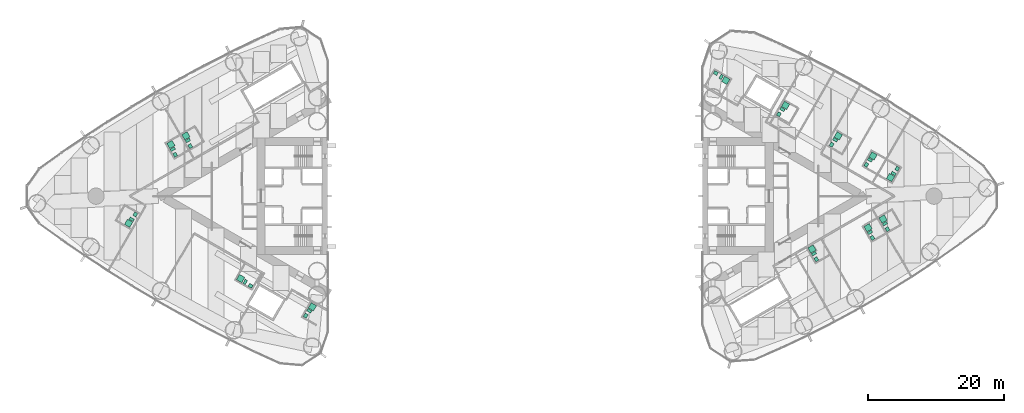
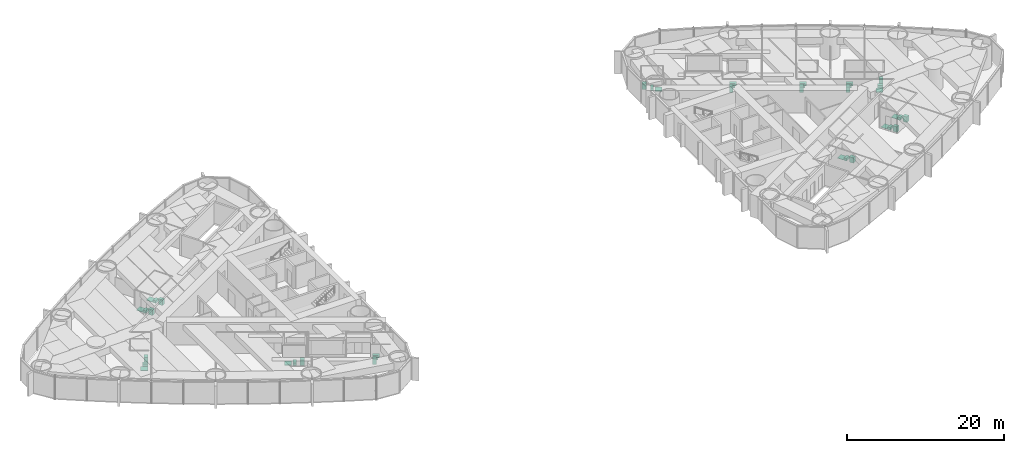
# One storey, part 19 of 19: 17 sanitary terminals.
"""IFC4 building model written with IfcOpenShell, lengths in metres."""

from ifc_helpers import new_model, si_unit, direction, frame, origin, origin_2d, place, context, subcontext, project, spatial, rectangle, extrude, material, type_object, element, save


model = new_model("IFC4")

# Units and contexts
model_context = context("Model", 3, precision=1e-05, world=origin(), true_north=direction((0.0, 1.0)))
body_context = subcontext(model_context, "Body", "Model", "MODEL_VIEW")
ifc_project = project(units=[si_unit("LENGTHUNIT", "METRE"), si_unit("AREAUNIT", "SQUARE_METRE"), si_unit("VOLUMEUNIT", "CUBIC_METRE"), si_unit("PLANEANGLEUNIT", "RADIAN"), si_unit("MASSUNIT", "GRAM", prefix="KILO")], contexts=[model_context])

# Site, building, storey
site_placement = place(None, origin())
site = spatial("IfcSite", under=ifc_project, at=site_placement, CompositionType="ELEMENT")
building_placement = place(site_placement, origin())
building = spatial("IfcBuilding", under=site, at=building_placement, Name="Lancet Gate Hotel", CompositionType="ELEMENT")
storey_placement = place(building_placement, frame((0.0, 0.0, 111.60009765625)))
storey = spatial("IfcBuildingStorey", under=building, at=storey_placement, Name="L29", CompositionType="ELEMENT", Elevation=111.60009765625)

# Sanitary terminals
ifc_material_1 = material(Name="Vitreous china sanitary ware")
sanitary_terminal_type_1 = type_object("IfcSanitaryTerminalType", Name="En-suite sanitary set (shower, WC, basin)", PredefinedType="USERDEFINED", material=ifc_material_1)
sanitary_terminal_1_placement = place(storey_placement, frame((-50.51611328125, 7.5703125, 0.0), z_axis=(0.0, 0.0, 1.0), x_axis=(1.0, 0.0, 0.0)))
element("IfcSanitaryTerminal", 1, at=sanitary_terminal_1_placement, inside=storey, type_object=sanitary_terminal_type_1, Name="En-suite sanitary set (shower, WC, basin) 2903", ObjectType="EN-SUITE SANITARY SET", PredefinedType="USERDEFINED", context=body_context, shape_type="SweptSolid", body=[
    extrude(rectangle(XDim=0.89990234375, YDim=0.89990234375, at=origin_2d()), frame((0.0, 0.0, 0.0), z_axis=(0.0, 0.0, 1.0), x_axis=(-0.5, 0.866025403784, 0.0)), (0.0, 0.0, 1.0), 0.050048828125),
    extrude(rectangle(XDim=0.39990234375, YDim=0.699951171875, at=origin_2d()), frame((0.278564453125, -0.68212890625, 0.0), z_axis=(0.0, 0.0, 1.0), x_axis=(-0.5, 0.866025403784, 0.0)), (0.0, 0.0, 1.0), 0.39990234375),
    extrude(rectangle(XDim=0.60009765625, YDim=0.5, at=origin_2d()), frame((0.6318359375, -1.494140625, 0.0), z_axis=(0.0, 0.0, 1.0), x_axis=(-0.5, 0.866025403784, 0.0)), (0.0, 0.0, 1.0), 0.85009765625),
])
sanitary_terminal_2_placement = place(storey_placement, frame((-56.7255859375, -3.985107421875, 0.0), z_axis=(0.0, 0.0, 1.0), x_axis=(1.0, 0.0, 0.0)))
element("IfcSanitaryTerminal", 2, at=sanitary_terminal_2_placement, inside=storey, type_object=sanitary_terminal_type_1, Name="En-suite sanitary set (shower, WC, basin) 2905", ObjectType="EN-SUITE SANITARY SET", PredefinedType="USERDEFINED", context=body_context, shape_type="SweptSolid", body=[
    extrude(rectangle(XDim=0.89990234375, YDim=0.89990234375, at=origin_2d()), frame((0.0, 0.0, 0.0), z_axis=(0.0, 0.0, 1.0), x_axis=(-0.5, -0.866025403784, 0.0)), (0.0, 0.0, 1.0), 0.050048828125),
    extrude(rectangle(XDim=0.39990234375, YDim=0.699951171875, at=origin_2d()), frame((0.451416015625, 0.58203125, 0.0), z_axis=(0.0, 0.0, 1.0), x_axis=(-0.5, -0.866025403784, 0.0)), (0.0, 0.0, 1.0), 0.39990234375),
    extrude(rectangle(XDim=0.60009765625, YDim=0.5, at=origin_2d()), frame((0.97802734375, 1.294189453125, 0.0), z_axis=(0.0, 0.0, 1.0), x_axis=(-0.5, -0.866025403784, 0.0)), (0.0, 0.0, 1.0), 0.85009765625),
])
sanitary_terminal_3_placement = place(storey_placement, frame((-48.3076171875, 8.845458984375, 0.0), z_axis=(0.0, 0.0, 1.0), x_axis=(1.0, 0.0, 0.0)))
element("IfcSanitaryTerminal", 3, at=sanitary_terminal_3_placement, inside=storey, type_object=sanitary_terminal_type_1, Name="En-suite sanitary set (shower, WC, basin) 2902", ObjectType="EN-SUITE SANITARY SET", PredefinedType="USERDEFINED", context=body_context, shape_type="SweptSolid", body=[
    extrude(rectangle(XDim=0.89990234375, YDim=0.89990234375, at=origin_2d()), frame((0.0, 0.0, 0.0), z_axis=(0.0, 0.0, 1.0), x_axis=(-0.5, 0.866025403784, 0.0)), (0.0, 0.0, 1.0), 0.050048828125),
    extrude(rectangle(XDim=0.39990234375, YDim=0.699951171875, at=origin_2d()), frame((0.2783203125, -0.682373046875, 0.0), z_axis=(0.0, 0.0, 1.0), x_axis=(-0.5, 0.866025403784, 0.0)), (0.0, 0.0, 1.0), 0.39990234375),
    extrude(rectangle(XDim=0.60009765625, YDim=0.5, at=origin_2d()), frame((0.6318359375, -1.494384765625, 0.0), z_axis=(0.0, 0.0, 1.0), x_axis=(-0.5, 0.866025403784, 0.0)), (0.0, 0.0, 1.0), 0.85009765625),
])
sanitary_terminal_4_placement = place(storey_placement, frame((-29.751708984375, -16.256103515625, 0.0), z_axis=(0.0, 0.0, 1.0), x_axis=(1.0, 0.0, 0.0)))
element("IfcSanitaryTerminal", 4, at=sanitary_terminal_4_placement, inside=storey, type_object=sanitary_terminal_type_1, Name="En-suite sanitary set (shower, WC, basin) 2908", ObjectType="EN-SUITE SANITARY SET", PredefinedType="USERDEFINED", context=body_context, shape_type="SweptSolid", body=[
    extrude(rectangle(XDim=0.89990234375, YDim=0.89990234375, at=origin_2d()), frame((0.0, 0.0, 0.0), z_axis=(0.0, 0.0, 1.0), x_axis=(0.5, 0.866025403784, 0.0)), (0.0, 0.0, 1.0), 0.050048828125),
    extrude(rectangle(XDim=0.39990234375, YDim=0.699951171875, at=origin_2d()), frame((-0.45166015625, -0.582275390625, 0.0), z_axis=(0.0, 0.0, 1.0), x_axis=(0.5, 0.866025403784, 0.0)), (0.0, 0.0, 1.0), 0.39990234375),
    extrude(rectangle(XDim=0.60009765625, YDim=0.5, at=origin_2d()), frame((-0.978271484375, -1.29443359375, 0.0), z_axis=(0.0, 0.0, 1.0), x_axis=(0.5, 0.866025403784, 0.0)), (0.0, 0.0, 1.0), 0.85009765625),
])
sanitary_terminal_5_placement = place(storey_placement, frame((43.5888671875, -7.767333984375, 0.0), z_axis=(0.0, 0.0, 1.0), x_axis=(1.0, 0.0, 0.0)))
element("IfcSanitaryTerminal", 5, at=sanitary_terminal_5_placement, inside=storey, type_object=sanitary_terminal_type_1, Name="En-suite sanitary set (shower, WC, basin) 2954", ObjectType="EN-SUITE SANITARY SET", PredefinedType="USERDEFINED", context=body_context, shape_type="SweptSolid", body=[
    extrude(rectangle(XDim=0.89990234375, YDim=0.89990234375, at=origin_2d()), frame((0.0, 0.0, 0.0), z_axis=(0.0, 0.0, 1.0), x_axis=(-0.5, 0.866025403784, 0.0)), (0.0, 0.0, 1.0), 0.050048828125),
    extrude(rectangle(XDim=0.39990234375, YDim=0.699951171875, at=origin_2d()), frame((0.2783203125, -0.68212890625, 0.0), z_axis=(0.0, 0.0, 1.0), x_axis=(-0.5, 0.866025403784, 0.0)), (0.0, 0.0, 1.0), 0.39990234375),
    extrude(rectangle(XDim=0.60009765625, YDim=0.5, at=origin_2d()), frame((0.6318359375, -1.494384765625, 0.0), z_axis=(0.0, 0.0, 1.0), x_axis=(-0.5, 0.866025403784, 0.0)), (0.0, 0.0, 1.0), 0.85009765625),
])
sanitary_terminal_6_placement = place(storey_placement, frame((51.816650390625, -4.633544921875, 0.0), z_axis=(0.0, 0.0, 1.0), x_axis=(1.0, 0.0, 0.0)))
element("IfcSanitaryTerminal", 6, at=sanitary_terminal_6_placement, inside=storey, type_object=sanitary_terminal_type_1, Name="En-suite sanitary set (shower, WC, basin) 2955", ObjectType="EN-SUITE SANITARY SET", PredefinedType="USERDEFINED", context=body_context, shape_type="SweptSolid", body=[
    extrude(rectangle(XDim=0.89990234375, YDim=0.89990234375, at=origin_2d()), frame((0.0, 0.0, 0.0), z_axis=(0.0, 0.0, 1.0), x_axis=(-0.5, 0.866025403784, 0.0)), (0.0, 0.0, 1.0), 0.050048828125),
    extrude(rectangle(XDim=0.39990234375, YDim=0.699951171875, at=origin_2d()), frame((0.2783203125, -0.682373046875, 0.0), z_axis=(0.0, 0.0, 1.0), x_axis=(-0.5, 0.866025403784, 0.0)), (0.0, 0.0, 1.0), 0.39990234375),
    extrude(rectangle(XDim=0.60009765625, YDim=0.5, at=origin_2d()), frame((0.6318359375, -1.494384765625, 0.0), z_axis=(0.0, 0.0, 1.0), x_axis=(-0.5, 0.866025403784, 0.0)), (0.0, 0.0, 1.0), 0.85009765625),
])
sanitary_terminal_7_placement = place(storey_placement, frame((54.02490234375, -3.358642578125, 0.0), z_axis=(0.0, 0.0, 1.0), x_axis=(1.0, 0.0, 0.0)))
element("IfcSanitaryTerminal", 7, at=sanitary_terminal_7_placement, inside=storey, type_object=sanitary_terminal_type_1, Name="En-suite sanitary set (shower, WC, basin) 2957", ObjectType="EN-SUITE SANITARY SET", PredefinedType="USERDEFINED", context=body_context, shape_type="SweptSolid", body=[
    extrude(rectangle(XDim=0.89990234375, YDim=0.89990234375, at=origin_2d()), frame((0.0, 0.0, 0.0), z_axis=(0.0, 0.0, 1.0), x_axis=(-0.5, 0.866025403784, 0.0)), (0.0, 0.0, 1.0), 0.050048828125),
    extrude(rectangle(XDim=0.39990234375, YDim=0.699951171875, at=origin_2d()), frame((0.278564453125, -0.68212890625, 0.0), z_axis=(0.0, 0.0, 1.0), x_axis=(-0.5, 0.866025403784, 0.0)), (0.0, 0.0, 1.0), 0.39990234375),
    extrude(rectangle(XDim=0.60009765625, YDim=0.5, at=origin_2d()), frame((0.6318359375, -1.494140625, 0.0), z_axis=(0.0, 0.0, 1.0), x_axis=(-0.5, 0.866025403784, 0.0)), (0.0, 0.0, 1.0), 0.85009765625),
])
sanitary_terminal_8_placement = place(storey_placement, frame((55.1162109375, 2.728515625, 0.0), z_axis=(0.0, 0.0, 1.0), x_axis=(1.0, 0.0, 0.0)))
element("IfcSanitaryTerminal", 8, at=sanitary_terminal_8_placement, inside=storey, type_object=sanitary_terminal_type_1, Name="En-suite sanitary set (shower, WC, basin) 2958", ObjectType="EN-SUITE SANITARY SET", PredefinedType="USERDEFINED", context=body_context, shape_type="SweptSolid", body=[
    extrude(rectangle(XDim=0.89990234375, YDim=0.89990234375, at=origin_2d()), frame((0.0, 0.0, 0.0), z_axis=(0.0, 0.0, 1.0), x_axis=(-0.5, -0.866025403784, 0.0)), (0.0, 0.0, 1.0), 0.050048828125),
    extrude(rectangle(XDim=0.39990234375, YDim=0.699951171875, at=origin_2d()), frame((0.45166015625, 0.582275390625, 0.0), z_axis=(0.0, 0.0, 1.0), x_axis=(-0.5, -0.866025403784, 0.0)), (0.0, 0.0, 1.0), 0.39990234375),
    extrude(rectangle(XDim=0.60009765625, YDim=0.5, at=origin_2d()), frame((0.978271484375, 1.29443359375, 0.0), z_axis=(0.0, 0.0, 1.0), x_axis=(-0.5, -0.866025403784, 0.0)), (0.0, 0.0, 1.0), 0.85009765625),
])
sanitary_terminal_9_placement = place(storey_placement, frame((52.546630859375, 5.89794921875, 0.0), z_axis=(0.0, 0.0, 1.0), x_axis=(1.0, 0.0, 0.0)))
element("IfcSanitaryTerminal", 9, at=sanitary_terminal_9_placement, inside=storey, type_object=sanitary_terminal_type_1, Name="En-suite sanitary set (shower, WC, basin) 2959", ObjectType="EN-SUITE SANITARY SET", PredefinedType="USERDEFINED", context=body_context, shape_type="SweptSolid", body=[
    extrude(rectangle(XDim=0.89990234375, YDim=0.89990234375, at=origin_2d()), frame((0.0, 0.0, 0.0), z_axis=(0.0, 0.0, 1.0), x_axis=(0.5, 0.866025403784, 0.0)), (0.0, 0.0, 1.0), 0.050048828125),
    extrude(rectangle(XDim=0.39990234375, YDim=0.699951171875, at=origin_2d()), frame((-0.45166015625, -0.58203125, 0.0), z_axis=(0.0, 0.0, 1.0), x_axis=(0.5, 0.866025403784, 0.0)), (0.0, 0.0, 1.0), 0.39990234375),
    extrude(rectangle(XDim=0.60009765625, YDim=0.5, at=origin_2d()), frame((-0.978271484375, -1.294189453125, 0.0), z_axis=(0.0, 0.0, 1.0), x_axis=(0.5, 0.866025403784, 0.0)), (0.0, 0.0, 1.0), 0.85009765625),
])
sanitary_terminal_10_placement = place(storey_placement, frame((47.443603515625, 8.84423828125, 0.0), z_axis=(0.0, 0.0, 1.0), x_axis=(1.0, 0.0, 0.0)))
element("IfcSanitaryTerminal", 10, at=sanitary_terminal_10_placement, inside=storey, type_object=sanitary_terminal_type_1, Name="En-suite sanitary set (shower, WC, basin) 2960", ObjectType="EN-SUITE SANITARY SET", PredefinedType="USERDEFINED", context=body_context, shape_type="SweptSolid", body=[
    extrude(rectangle(XDim=0.89990234375, YDim=0.89990234375, at=origin_2d()), frame((0.0, 0.0, 0.0), z_axis=(0.0, 0.0, 1.0), x_axis=(0.5, 0.866025403784, 0.0)), (0.0, 0.0, 1.0), 0.050048828125),
    extrude(rectangle(XDim=0.39990234375, YDim=0.699951171875, at=origin_2d()), frame((-0.451416015625, -0.582275390625, 0.0), z_axis=(0.0, 0.0, 1.0), x_axis=(0.5, 0.866025403784, 0.0)), (0.0, 0.0, 1.0), 0.39990234375),
    extrude(rectangle(XDim=0.60009765625, YDim=0.5, at=origin_2d()), frame((-0.97802734375, -1.29443359375, 0.0), z_axis=(0.0, 0.0, 1.0), x_axis=(0.5, 0.866025403784, 0.0)), (0.0, 0.0, 1.0), 0.85009765625),
])
sanitary_terminal_11_placement = place(storey_placement, frame((39.703857421875, 13.312744140625, 0.0), z_axis=(0.0, 0.0, 1.0), x_axis=(1.0, 0.0, 0.0)))
element("IfcSanitaryTerminal", 11, at=sanitary_terminal_11_placement, inside=storey, type_object=sanitary_terminal_type_1, Name="En-suite sanitary set (shower, WC, basin) 2962", ObjectType="EN-SUITE SANITARY SET", PredefinedType="USERDEFINED", context=body_context, shape_type="SweptSolid", body=[
    extrude(rectangle(XDim=0.89990234375, YDim=0.89990234375, at=origin_2d()), frame((0.0, 0.0, 0.0), z_axis=(0.0, 0.0, 1.0), x_axis=(0.5, 0.866025403784, 0.0)), (0.0, 0.0, 1.0), 0.050048828125),
    extrude(rectangle(XDim=0.39990234375, YDim=0.699951171875, at=origin_2d()), frame((-0.45166015625, -0.58203125, 0.0), z_axis=(0.0, 0.0, 1.0), x_axis=(0.5, 0.866025403784, 0.0)), (0.0, 0.0, 1.0), 0.39990234375),
    extrude(rectangle(XDim=0.60009765625, YDim=0.5, at=origin_2d()), frame((-0.978271484375, -1.294189453125, 0.0), z_axis=(0.0, 0.0, 1.0), x_axis=(0.5, 0.866025403784, 0.0)), (0.0, 0.0, 1.0), 0.85009765625),
])
ifc_material_2 = material(Name="Stone resin shower tray", Category="masonry")
sanitary_terminal_type_2 = type_object("IfcSanitaryTerminalType", Name="Shower tray 900", PredefinedType="SHOWER", material=ifc_material_2)
for number, where, z_axis, x_axis, name in (
    (12, (-40.2763671875, -12.0966796875, 0.0), (0.0, 0.0, 1.0), (-0.866025403784, 0.5, 0.0), "Shower tray 900 2907"),
    (13, (30.927978515625, 16.993896484375, 0.0), (0.0, 0.0, 1.0), (0.866025403784, -0.5, 0.0), "Shower tray 900 2963"),
):
    element("IfcSanitaryTerminal", number, at=place(storey_placement, frame(where, z_axis=z_axis, x_axis=x_axis)), inside=storey, type_object=sanitary_terminal_type_2, Name=name, PredefinedType="SHOWER", context=body_context, shape_type="SweptSolid", body=[
        extrude(rectangle(XDim=0.89990234375, YDim=0.89990234375, at=origin_2d()), origin(), (0.0, 0.0, 1.0), 0.050048828125),
    ])
ifc_material_3 = material(Name="Vitreous china sanitary ware")
sanitary_terminal_type_3 = type_object("IfcSanitaryTerminalType", Name="Vanity basin 600", PredefinedType="WASHHANDBASIN", material=ifc_material_3)
for number, where, z_axis, x_axis, name in (
    (14, (-38.808837890625, -13.1748046875, -0.000244140625), (0.0, 0.0, 1.0), (-0.866025403784, 0.5, 0.0), "Vanity basin 600 2907"),
    (15, (29.460693359375, 18.072021484375, -0.000244140625), (0.0, 0.0, 1.0), (0.866025403784, -0.5, 0.0), "Vanity basin 600 2963"),
):
    element("IfcSanitaryTerminal", number, at=place(storey_placement, frame(where, z_axis=z_axis, x_axis=x_axis)), inside=storey, type_object=sanitary_terminal_type_3, Name=name, PredefinedType="WASHHANDBASIN", context=body_context, shape_type="SweptSolid", body=[
        extrude(rectangle(XDim=0.60009765625, YDim=0.5, at=origin_2d()), origin(), (0.0, 0.0, 1.0), 0.85009765625),
    ])
ifc_material_4 = material(Name="Vitreous china sanitary ware")
sanitary_terminal_type_4 = type_object("IfcSanitaryTerminalType", Name="WC pan wall hung", PredefinedType="TOILETPAN", material=ifc_material_4)
for number, where, z_axis, x_axis, name in (
    (16, (-39.607421875, -12.59814453125, 0.0), (0.0, 0.0, 1.0), (-0.866025403784, 0.5, 0.0), "WC pan wall hung 2907"),
    (17, (30.25927734375, 17.495361328125, 0.0), (0.0, 0.0, 1.0), (0.866025403784, -0.5, 0.0), "WC pan wall hung 2963"),
):
    element("IfcSanitaryTerminal", number, at=place(storey_placement, frame(where, z_axis=z_axis, x_axis=x_axis)), inside=storey, type_object=sanitary_terminal_type_4, Name=name, PredefinedType="TOILETPAN", context=body_context, shape_type="SweptSolid", body=[
        extrude(rectangle(XDim=0.39990234375, YDim=0.699951171875, at=origin_2d()), origin(), (0.0, 0.0, 1.0), 0.39990234375),
    ])

save(model, "model.ifc")
